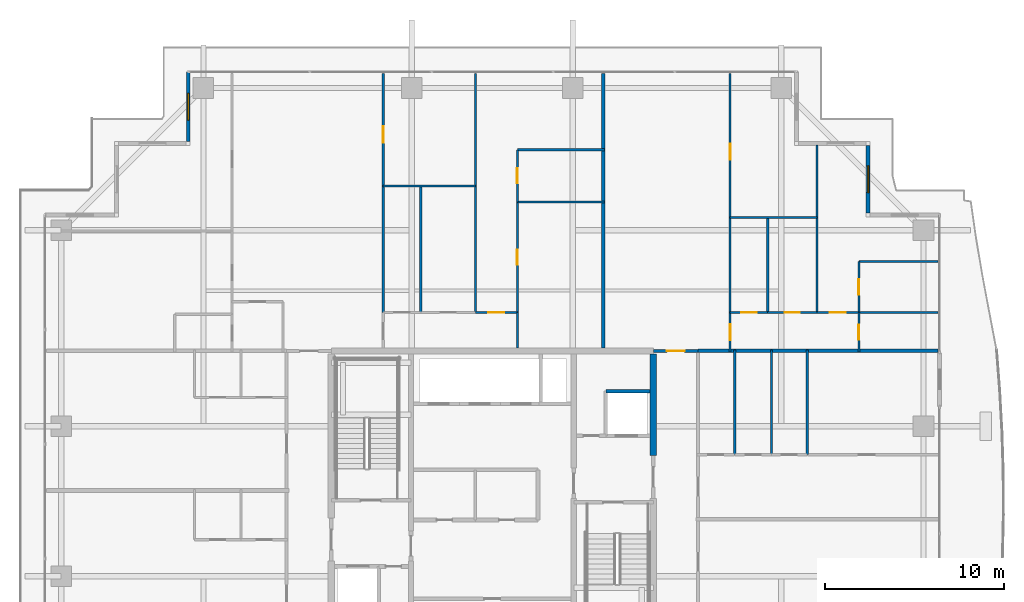
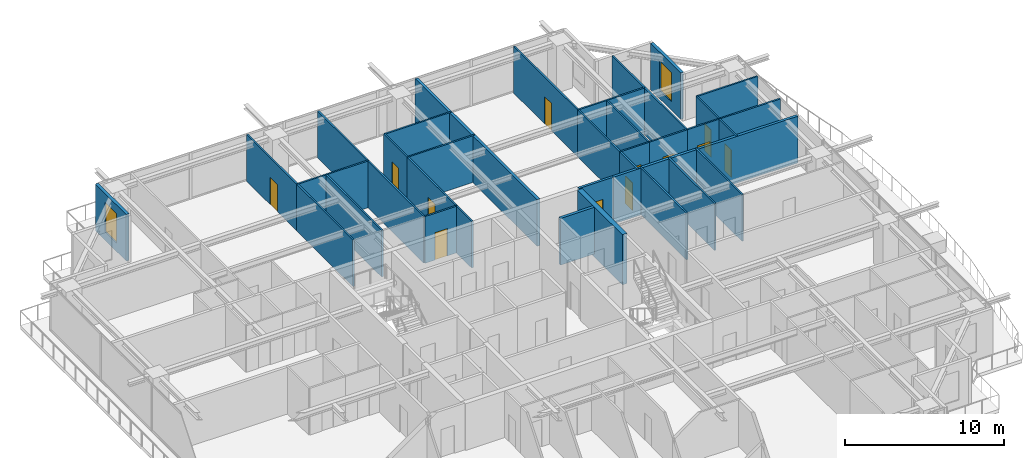
# One storey, part 30 of 38: 34 walls, 12 doors, 2 windows, 14 openings.
"""IFC4 building model written with IfcOpenShell, lengths in metres."""

from ifc_helpers import new_model, si_unit, direction, frame, frame_2d, origin, place, context, subcontext, project, spatial, rectangle, extrude, source, transform, mapped, material, layer, layer_set, type_object, element, fill, save


model = new_model("IFC4")

# Units and contexts
model_context = context("Model", 3, precision=1e-05, world=origin(), true_north=direction((0.0, 1.0)))
body_context = subcontext(model_context, "Body", "Model", "MODEL_VIEW")
ifc_project = project(units=[si_unit("LENGTHUNIT", "METRE"), si_unit("AREAUNIT", "SQUARE_METRE"), si_unit("VOLUMEUNIT", "CUBIC_METRE"), si_unit("PLANEANGLEUNIT", "RADIAN"), si_unit("MASSUNIT", "GRAM", prefix="KILO")], contexts=[model_context])

# Site, building, storey
site_placement = place(None, origin())
site = spatial("IfcSite", under=ifc_project, at=site_placement, CompositionType="ELEMENT")
building_placement = place(site_placement, origin())
building = spatial("IfcBuilding", under=site, at=building_placement, Name="Serunith Strait Residences", CompositionType="ELEMENT")
storey_placement = place(building_placement, frame((0.0, 0.0, 245.10009765625)))
storey = spatial("IfcBuildingStorey", under=building, at=storey_placement, Name="L61", CompositionType="ELEMENT", Elevation=245.10009765625)

# Wall, opening, window
ifc_material_1 = material(Name="Pale-Champagne Aluminium Insulated Panel", Category="aluminium")
ifc_layer_1 = layer(ifc_material_1, 0.219970703125, Name="Pale-Champagne Aluminium Insulated Panel")
ifc_layer_set_1 = layer_set([ifc_layer_1], Name="Pale-Champagne Aluminium Insulated Panel")
wall_type_1 = type_object("IfcWallType", Name="EW-ALUM-220", PredefinedType="ELEMENTEDWALL", material=ifc_layer_set_1)
wall_1_placement = place(storey_placement, frame((53.39990234375, 41.31005859375, 0.0), z_axis=(0.0, 0.0, 1.0), x_axis=(0.0, 1.0, 0.0)))
wall_1 = element("IfcWall", 1, at=wall_1_placement, inside=storey, type_object=wall_type_1, Name="L61 Girih Serrated Corner Wall 08", PredefinedType="ELEMENTEDWALL", context=body_context, shape_type="SweptSolid", body=[
    extrude(rectangle(XDim=3.780029296875, YDim=0.219970703125, at=frame_2d((1.89013671875, 0.0))), origin(), (0.0, 0.0, 1.0), 3.574951171875),
])
opening_1_placement = place(wall_1_placement, frame((1.139892578125, 0.0, 0.64990234375)))
opening_1 = element("IfcOpeningElement", 2, at=opening_1_placement, cuts=wall_1, Name="Opening W-05", PredefinedType="OPENING", context=body_context, shape_type="SweptSolid", body=[
    extrude(rectangle(XDim=1.5, YDim=2.25, at=frame_2d((0.75, 1.125))), frame((0.0, 0.1201171875, 0.0), z_axis=(0.0, -1.0, 0.0), x_axis=(1.0, 0.0, 0.0)), (0.0, 0.0, 1.0), 0.239990234375),
])
ifc_material_2 = material(Name="Ceramic-Fritted Operable Aluminium Window Glass", Category="aluminium")
window_type = type_object("IfcWindowType", Name="WIN-C5", PartitioningType="DOUBLE_PANEL_VERTICAL", PredefinedType="WINDOW", material=ifc_material_2)
shared_shape_1 = source(origin(), body_context, "Body", "SweptSolid", [
    extrude(rectangle(XDim=1.5, YDim=2.25, at=frame_2d((0.75, 1.125))), frame((0.0, 0.030029296875, 0.0), z_axis=(0.0, -1.0, 0.0), x_axis=(1.0, 0.0, 0.0)), (0.0, 0.0, 1.0), 0.06005859375),
])
window_1_placement = place(opening_1_placement, origin())
window_1 = element("IfcWindow", 3, at=window_1_placement, inside=storey, type_object=window_type, Name="L61 Corner Operable Fritted Window 08", OverallHeight=2.25, OverallWidth=1.5, PartitioningType="SINGLE_PANEL", PredefinedType="WINDOW", context=body_context, shape_type="MappedRepresentation", body=[
    mapped(shared_shape_1, transform((0.0, 0.0, 0.0), scale=1.0)),
])
fill(opening_1, window_1)

wall_2_placement = place(storey_placement, frame((15.39990234375, 49.199951171875, 0.0), z_axis=(0.0, 0.0, 1.0), x_axis=(0.0, -1.0, 0.0)))
wall_2 = element("IfcWall", 4, at=wall_2_placement, inside=storey, type_object=wall_type_1, Name="L61 Girih Serrated Corner Wall 12", PredefinedType="ELEMENTEDWALL", context=body_context, shape_type="SweptSolid", body=[
    extrude(rectangle(XDim=3.889892578125, YDim=0.219970703125, at=frame_2d((1.94482421875, 0.0))), origin(), (0.0, 0.0, 1.0), 3.574951171875),
])
opening_2_placement = place(wall_2_placement, frame((1.195068359375, 0.0, 0.64990234375)))
opening_2 = element("IfcOpeningElement", 5, at=opening_2_placement, cuts=wall_2, Name="Opening W-05", PredefinedType="OPENING", context=body_context, shape_type="SweptSolid", body=[
    extrude(rectangle(XDim=1.5, YDim=2.25, at=frame_2d((0.75, 1.125))), frame((0.0, 0.1201171875, 0.0), z_axis=(0.0, -1.0, 0.0), x_axis=(1.0, 0.0, 0.0)), (0.0, 0.0, 1.0), 0.239990234375),
])
window_2_placement = place(opening_2_placement, origin())
window_2 = element("IfcWindow", 6, at=window_2_placement, inside=storey, type_object=window_type, Name="L61 Corner Operable Fritted Window 12", OverallHeight=2.25, OverallWidth=1.5, PartitioningType="SINGLE_PANEL", PredefinedType="WINDOW", context=body_context, shape_type="MappedRepresentation", body=[
    mapped(shared_shape_1, transform((0.0, 0.0, 0.0), scale=1.0)),
])
fill(opening_2, window_2)

# Wall, opening, door
ifc_material_3 = material(Name="Fire-rated acoustic gypsum partition")
ifc_layer_2 = layer(ifc_material_3, 0.179931640625, Name="Fire-rated acoustic gypsum partition")
ifc_layer_set_2 = layer_set([ifc_layer_2], Name="Fire-rated acoustic gypsum partition")
wall_type_2 = type_object("IfcWallType", Name="IW-CORR-180", PredefinedType="PARTITIONING", material=ifc_layer_set_2)
wall_3_placement = place(storey_placement, frame((41.402099609375, 33.60009765625, 0.0), z_axis=(0.0, 0.0, 1.0), x_axis=(1.0, 0.0, 0.0)))
wall_3 = element("IfcWall", 7, at=wall_3_placement, inside=storey, type_object=wall_type_2, Name="L61 Partition Wall 030", PredefinedType="PARTITIONING", context=body_context, shape_type="SweptSolid", body=[
    extrude(rectangle(XDim=2.495849609375, YDim=0.179931640625, at=frame_2d((1.248046875, 0.0))), origin(), (0.0, 0.0, 1.0), 3.58984375),
])
opening_3_placement = place(wall_3_placement, frame((0.748046875, 0.0, 0.0)))
opening_3 = element("IfcOpeningElement", 8, at=opening_3_placement, cuts=wall_3, Name="Opening D-APT1000", PredefinedType="OPENING", context=body_context, shape_type="SweptSolid", body=[
    extrude(rectangle(XDim=1.0, YDim=2.14990234375, at=frame_2d((0.5, 1.074951171875))), frame((0.0, 0.10009765625, 0.0), z_axis=(0.0, -1.0, 0.0), x_axis=(1.0, 0.0, 0.0)), (0.0, 0.0, 1.0), 0.199951171875),
])
ifc_material_4 = material(Name="Solid timber engineered fire door", Category="wood")
door_type_1 = type_object("IfcDoorType", Name="ID-APT-1000", OperationType="NOTDEFINED", PredefinedType="DOOR", material=ifc_material_4)
shared_shape_2 = source(origin(), body_context, "Body", "SweptSolid", [
    extrude(rectangle(XDim=1.0, YDim=2.14990234375, at=frame_2d((0.5, 1.074951171875))), frame((0.0, 0.02490234375, 0.0), z_axis=(0.0, -1.0, 0.0), x_axis=(1.0, 0.0, 0.0)), (0.0, 0.0, 1.0), 0.050048828125),
])
door_1_placement = place(opening_3_placement, origin())
door_1 = element("IfcDoor", 9, at=door_1_placement, inside=storey, type_object=door_type_1, Name="L61 Unit 04 Entrance Door", OperationType="SINGLE_SWING_RIGHT", OverallHeight=2.14990234375, OverallWidth=1.0, PredefinedType="DOOR", context=body_context, shape_type="MappedRepresentation", body=[
    mapped(shared_shape_2, transform((0.0, 0.0, 0.0), scale=1.0)),
])
fill(opening_3, door_1)

ifc_material_5 = material(Name="Lightweight steel-stud gypsum partition", Category="steel")
ifc_layer_3 = layer(ifc_material_5, 0.1201171875, Name="Lightweight steel-stud gypsum partition")
ifc_layer_set_3 = layer_set([ifc_layer_3], Name="Lightweight steel-stud gypsum partition")
wall_type_3 = type_object("IfcWallType", Name="IW-PART-120", PredefinedType="PARTITIONING", material=ifc_layer_set_3)
wall_4_placement = place(storey_placement, frame((26.300048828125, 49.10498046875, 0.0), z_axis=(0.0, 0.0, 1.0), x_axis=(0.0, -1.0, 0.0)))
wall_4 = element("IfcWall", 10, at=wall_4_placement, inside=storey, type_object=wall_type_3, Name="L61 Partition Wall 076", PredefinedType="PARTITIONING", context=body_context, shape_type="SweptSolid", body=[
    extrude(rectangle(XDim=6.27490234375, YDim=0.1201171875, at=frame_2d((3.137451171875, 0.0))), origin(), (0.0, 0.0, 1.0), 3.58984375),
])
opening_4_placement = place(wall_4_placement, frame((2.9560546875, 0.0, 0.0)))
opening_4 = element("IfcOpeningElement", 11, at=opening_4_placement, cuts=wall_4, Name="Opening D-RM900", PredefinedType="OPENING", context=body_context, shape_type="SweptSolid", body=[
    extrude(rectangle(XDim=0.89990234375, YDim=2.10009765625, at=frame_2d((0.449951171875, 1.050048828125))), frame((0.0, 0.070068359375, 0.0), z_axis=(0.0, -1.0, 0.0), x_axis=(1.0, 0.0, 0.0)), (0.0, 0.0, 1.0), 0.14013671875),
])
ifc_material_6 = material(Name="Engineered timber flush bedroom door", Category="wood")
door_type_2 = type_object("IfcDoorType", Name="ID-ROOM-900", OperationType="NOTDEFINED", PredefinedType="DOOR", material=ifc_material_6)
shared_shape_3 = source(origin(), body_context, "Body", "SweptSolid", [
    extrude(rectangle(XDim=0.89990234375, YDim=2.10009765625, at=frame_2d((0.449951171875, 1.050048828125))), frame((0.0, 0.02490234375, 0.0), z_axis=(0.0, -1.0, 0.0), x_axis=(1.0, 0.0, 0.0)), (0.0, 0.0, 1.0), 0.050048828125),
])
door_2_placement = place(opening_4_placement, origin())
door_2 = element("IfcDoor", 12, at=door_2_placement, inside=storey, type_object=door_type_2, Name="L61 Formal Dining Room 2 6103 Door", OperationType="SINGLE_SWING_RIGHT", OverallHeight=2.10009765625, OverallWidth=0.89990234375, PredefinedType="DOOR", context=body_context, shape_type="MappedRepresentation", body=[
    mapped(shared_shape_3, transform((0.0, 0.0, 0.0), scale=1.0)),
])
fill(opening_4, door_2)

# Walls
wall_5_placement = place(storey_placement, frame((26.300048828125, 42.827880859375, 0.0), z_axis=(0.0, 0.0, 1.0), x_axis=(0.0, -1.0, 0.0)))
element("IfcWall", 13, at=wall_5_placement, inside=storey, type_object=wall_type_3, Name="L61 Partition Wall 077", PredefinedType="PARTITIONING", context=body_context, shape_type="SweptSolid", body=[
    extrude(rectangle(XDim=7.075927734375, YDim=0.1201171875, at=frame_2d((3.5380859375, 0.0))), origin(), (0.0, 0.0, 1.0), 3.58984375),
])
wall_6_placement = place(storey_placement, frame((26.300048828125, 42.830078125, 0.0), z_axis=(0.0, 0.0, 1.0), x_axis=(1.0, 0.0, 0.0)))
element("IfcWall", 14, at=wall_6_placement, inside=storey, type_object=wall_type_3, Name="L61 Partition Wall 078", PredefinedType="PARTITIONING", context=body_context, shape_type="SweptSolid", body=[
    extrude(rectangle(XDim=5.14990234375, YDim=0.1201171875, at=frame_2d((2.574951171875, 0.0))), origin(), (0.0, 0.0, 1.0), 3.58984375),
])
wall_7_placement = place(storey_placement, frame((31.449951171875, 49.10498046875, 0.0), z_axis=(0.0, 0.0, 1.0), x_axis=(0.0, -1.0, 0.0)))
element("IfcWall", 15, at=wall_7_placement, inside=storey, type_object=wall_type_3, Name="L61 Partition Wall 079", PredefinedType="PARTITIONING", context=body_context, shape_type="SweptSolid", body=[
    extrude(rectangle(XDim=13.35498046875, YDim=0.1201171875, at=frame_2d((6.677490234375, 0.0))), origin(), (0.0, 0.0, 1.0), 3.58984375),
])
wall_8_placement = place(storey_placement, frame((28.39990234375, 42.830078125, 0.0), z_axis=(0.0, 0.0, 1.0), x_axis=(0.0, -1.0, 0.0)))
element("IfcWall", 16, at=wall_8_placement, inside=storey, type_object=wall_type_3, Name="L61 Partition Wall 080", PredefinedType="PARTITIONING", context=body_context, shape_type="SweptSolid", body=[
    extrude(rectangle(XDim=7.080078125, YDim=0.1201171875, at=frame_2d((3.5400390625, 0.0))), origin(), (0.0, 0.0, 1.0), 3.58984375),
])

# Wall, opening, door
wall_9_placement = place(storey_placement, frame((31.451904296875, 35.75, 0.0), z_axis=(0.0, 0.0, 1.0), x_axis=(1.0, 0.0, 0.0)))
wall_9 = element("IfcWall", 17, at=wall_9_placement, inside=storey, type_object=wall_type_3, Name="L61 Partition Wall 083", PredefinedType="PARTITIONING", context=body_context, shape_type="SweptSolid", body=[
    extrude(rectangle(XDim=2.34814453125, YDim=0.1201171875, at=frame_2d((1.174072265625, 0.0))), origin(), (0.0, 0.0, 1.0), 3.58984375),
])
opening_5_placement = place(wall_9_placement, frame((0.72412109375, 0.0, 0.0)))
opening_5 = element("IfcOpeningElement", 18, at=opening_5_placement, cuts=wall_9, Name="Opening D-RM900", PredefinedType="OPENING", context=body_context, shape_type="SweptSolid", body=[
    extrude(rectangle(XDim=0.89990234375, YDim=2.10009765625, at=frame_2d((0.449951171875, 1.050048828125))), frame((0.0, 0.070068359375, 0.0), z_axis=(0.0, -1.0, 0.0), x_axis=(1.0, 0.0, 0.0)), (0.0, 0.0, 1.0), 0.14013671875),
])
door_3_placement = place(opening_5_placement, origin())
door_3 = element("IfcDoor", 19, at=door_3_placement, inside=storey, type_object=door_type_2, Name="L61 Master Bedroom E 6103 Door", OperationType="SINGLE_SWING_LEFT", OverallHeight=2.10009765625, OverallWidth=0.89990234375, PredefinedType="DOOR", context=body_context, shape_type="MappedRepresentation", body=[
    mapped(shared_shape_3, transform((0.0, 0.0, 0.0), scale=1.0)),
])
fill(opening_5, door_3)

# Walls
for number, where, z_axis, x_axis, name in (
    (20, (33.800048828125, 44.846923828125, 0.0), (0.0, 0.0, 1.0), (1.0, 0.0, 0.0), "L61 Partition Wall 084"),
    (21, (33.800048828125, 41.929931640625, 0.0), (0.0, 0.0, 1.0), (1.0, 0.0, 0.0), "L61 Partition Wall 085"),
):
    element("IfcWall", number, at=place(storey_placement, frame(where, z_axis=z_axis, x_axis=x_axis)), inside=storey, type_object=wall_type_3, Name=name, PredefinedType="PARTITIONING", context=body_context, shape_type="SweptSolid", body=[
        extrude(rectangle(XDim=4.85986328125, YDim=0.1201171875, at=frame_2d((2.429931640625, 0.0))), origin(), (0.0, 0.0, 1.0), 3.58984375),
    ])

# Wall, opening, door
wall_10_placement = place(storey_placement, frame((33.800048828125, 44.846923828125, 0.0), z_axis=(0.0, 0.0, 1.0), x_axis=(0.0, -1.0, 0.0)))
wall_10 = element("IfcWall", 22, at=wall_10_placement, inside=storey, type_object=wall_type_3, Name="L61 Partition Wall 086", PredefinedType="PARTITIONING", context=body_context, shape_type="SweptSolid", body=[
    extrude(rectangle(XDim=2.9169921875, YDim=0.1201171875, at=frame_2d((1.45849609375, 0.0))), origin(), (0.0, 0.0, 1.0), 3.58984375),
])
opening_6_placement = place(wall_10_placement, frame((1.033935546875, 0.0, 0.0)))
opening_6 = element("IfcOpeningElement", 23, at=opening_6_placement, cuts=wall_10, Name="Opening D-BTH850", PredefinedType="OPENING", context=body_context, shape_type="SweptSolid", body=[
    extrude(rectangle(XDim=0.85009765625, YDim=2.10009765625, at=frame_2d((0.425048828125, 1.050048828125))), frame((0.0, 0.070068359375, 0.0), z_axis=(0.0, -1.0, 0.0), x_axis=(1.0, 0.0, 0.0)), (0.0, 0.0, 1.0), 0.14013671875),
])
ifc_material_7 = material(Name="Moisture-resistant timber bathroom door", Category="wood")
door_type_3 = type_object("IfcDoorType", Name="ID-BATH-850", OperationType="NOTDEFINED", PredefinedType="DOOR", material=ifc_material_7)
shared_shape_4 = source(origin(), body_context, "Body", "SweptSolid", [
    extrude(rectangle(XDim=0.85009765625, YDim=2.10009765625, at=frame_2d((0.425048828125, 1.050048828125))), frame((0.0, 0.02490234375, 0.0), z_axis=(0.0, -1.0, 0.0), x_axis=(1.0, 0.0, 0.0)), (0.0, 0.0, 1.0), 0.050048828125),
])
door_4_placement = place(opening_6_placement, origin())
door_4 = element("IfcDoor", 24, at=door_4_placement, inside=storey, type_object=door_type_3, Name="L61 En-suite Bathroom E 6103 Door", OperationType="SINGLE_SWING_RIGHT", OverallHeight=2.10009765625, OverallWidth=0.85009765625, PredefinedType="DOOR", context=body_context, shape_type="MappedRepresentation", body=[
    mapped(shared_shape_4, transform((0.0, 0.0, 0.0), scale=1.0)),
])
fill(opening_6, door_4)

wall_11_placement = place(storey_placement, frame((33.800048828125, 41.927978515625, 0.0), z_axis=(0.0, 0.0, 1.0), x_axis=(0.0, -1.0, 0.0)))
wall_11 = element("IfcWall", 25, at=wall_11_placement, inside=storey, type_object=wall_type_3, Name="L61 Partition Wall 087", PredefinedType="PARTITIONING", context=body_context, shape_type="SweptSolid", body=[
    extrude(rectangle(XDim=6.177978515625, YDim=0.1201171875, at=frame_2d((3.0888671875, 0.0))), origin(), (0.0, 0.0, 1.0), 3.58984375),
])
opening_7_placement = place(wall_11_placement, frame((2.6640625, 0.0, 0.0)))
opening_7 = element("IfcOpeningElement", 26, at=opening_7_placement, cuts=wall_11, Name="Opening D-RM850", PredefinedType="OPENING", context=body_context, shape_type="SweptSolid", body=[
    extrude(rectangle(XDim=0.85009765625, YDim=2.10009765625, at=frame_2d((0.425048828125, 1.050048828125))), frame((0.0, 0.070068359375, 0.0), z_axis=(0.0, -1.0, 0.0), x_axis=(1.0, 0.0, 0.0)), (0.0, 0.0, 1.0), 0.14013671875),
])
ifc_material_8 = material(Name="Engineered timber flush study and kitchen door", Category="wood")
door_type_4 = type_object("IfcDoorType", Name="ID-ROOM-850", OperationType="NOTDEFINED", PredefinedType="DOOR", material=ifc_material_8)
door_5_placement = place(opening_7_placement, origin())
door_5 = element("IfcDoor", 27, at=door_5_placement, inside=storey, type_object=door_type_4, Name="L61 Wardrobe E 6103 Door", OperationType="SINGLE_SWING_LEFT", OverallHeight=2.10009765625, OverallWidth=0.85009765625, PredefinedType="DOOR", context=body_context, shape_type="MappedRepresentation", body=[
    mapped(shared_shape_4, transform((0.0, 0.0, 0.0), scale=1.0)),
])
fill(opening_7, door_5)

# Wall
wall_12_placement = place(storey_placement, frame((33.800048828125, 35.748046875, 0.0), z_axis=(0.0, 0.0, 1.0), x_axis=(0.0, -1.0, 0.0)))
element("IfcWall", 28, at=wall_12_placement, inside=storey, type_object=wall_type_3, Name="L61 Partition Wall 088", PredefinedType="PARTITIONING", context=body_context, shape_type="SweptSolid", body=[
    extrude(rectangle(XDim=1.97314453125, YDim=0.1201171875, at=frame_2d((0.986572265625, 0.0))), origin(), (0.0, 0.0, 1.0), 3.58984375),
])

# Wall, opening, door
wall_13_placement = place(storey_placement, frame((45.68994140625, 35.75, 0.0), z_axis=(0.0, 0.0, 1.0), x_axis=(0.0, -1.0, 0.0)))
wall_13 = element("IfcWall", 29, at=wall_13_placement, inside=storey, type_object=wall_type_3, Name="L61 Partition Wall 089", PredefinedType="PARTITIONING", context=body_context, shape_type="SweptSolid", body=[
    extrude(rectangle(XDim=2.2099609375, YDim=0.1201171875, at=frame_2d((1.10498046875, 0.0))), origin(), (0.0, 0.0, 1.0), 3.58984375),
])
opening_8_placement = place(wall_13_placement, frame((0.655029296875, 0.0, 0.0)))
opening_8 = element("IfcOpeningElement", 30, at=opening_8_placement, cuts=wall_13, Name="Opening D-RM900", PredefinedType="OPENING", context=body_context, shape_type="SweptSolid", body=[
    extrude(rectangle(XDim=0.89990234375, YDim=2.10009765625, at=frame_2d((0.449951171875, 1.050048828125))), frame((0.0, 0.070068359375, 0.0), z_axis=(0.0, -1.0, 0.0), x_axis=(1.0, 0.0, 0.0)), (0.0, 0.0, 1.0), 0.14013671875),
])
door_6_placement = place(opening_8_placement, origin())
door_6 = element("IfcDoor", 31, at=door_6_placement, inside=storey, type_object=door_type_2, Name="L61 Hall E 6104 Door", OperationType="SINGLE_SWING_RIGHT", OverallHeight=2.10009765625, OverallWidth=0.89990234375, PredefinedType="DOOR", context=body_context, shape_type="MappedRepresentation", body=[
    mapped(shared_shape_3, transform((0.0, 0.0, 0.0), scale=1.0)),
])
fill(opening_8, door_6)

wall_14_placement = place(storey_placement, frame((45.68994140625, 49.10498046875, 0.0), z_axis=(0.0, 0.0, 1.0), x_axis=(0.0, -1.0, 0.0)))
wall_14 = element("IfcWall", 32, at=wall_14_placement, inside=storey, type_object=wall_type_3, Name="L61 Partition Wall 090", PredefinedType="PARTITIONING", context=body_context, shape_type="SweptSolid", body=[
    extrude(rectangle(XDim=8.0400390625, YDim=0.1201171875, at=frame_2d((4.02001953125, 0.0))), origin(), (0.0, 0.0, 1.0), 3.58984375),
])
opening_9_placement = place(wall_14_placement, frame((3.927001953125, 0.0, 0.0)))
opening_9 = element("IfcOpeningElement", 33, at=opening_9_placement, cuts=wall_14, Name="Opening D-RM900", PredefinedType="OPENING", context=body_context, shape_type="SweptSolid", body=[
    extrude(rectangle(XDim=0.89990234375, YDim=2.10009765625, at=frame_2d((0.449951171875, 1.050048828125))), frame((0.0, 0.070068359375, 0.0), z_axis=(0.0, -1.0, 0.0), x_axis=(1.0, 0.0, 0.0)), (0.0, 0.0, 1.0), 0.14013671875),
])
door_7_placement = place(opening_9_placement, origin())
door_7 = element("IfcDoor", 34, at=door_7_placement, inside=storey, type_object=door_type_2, Name="L61 Formal Dining Room 1 6104 Door", OperationType="SINGLE_SWING_LEFT", OverallHeight=2.10009765625, OverallWidth=0.89990234375, PredefinedType="DOOR", context=body_context, shape_type="MappedRepresentation", body=[
    mapped(shared_shape_3, transform((0.0, 0.0, 0.0), scale=1.0)),
])
fill(opening_9, door_7)

# Walls
wall_15_placement = place(storey_placement, frame((45.68994140625, 41.06298828125, 0.0), z_axis=(0.0, 0.0, 1.0), x_axis=(0.0, -1.0, 0.0)))
element("IfcWall", 35, at=wall_15_placement, inside=storey, type_object=wall_type_3, Name="L61 Partition Wall 091", PredefinedType="PARTITIONING", context=body_context, shape_type="SweptSolid", body=[
    extrude(rectangle(XDim=5.31103515625, YDim=0.1201171875, at=frame_2d((2.655517578125, 0.0))), origin(), (0.0, 0.0, 1.0), 3.58984375),
])
wall_16_placement = place(storey_placement, frame((45.68994140625, 41.06494140625, 0.0), z_axis=(0.0, 0.0, 1.0), x_axis=(1.0, 0.0, 0.0)))
element("IfcWall", 36, at=wall_16_placement, inside=storey, type_object=wall_type_3, Name="L61 Partition Wall 092", PredefinedType="PARTITIONING", context=body_context, shape_type="SweptSolid", body=[
    extrude(rectangle(XDim=4.85009765625, YDim=0.1201171875, at=frame_2d((2.425048828125, 0.0))), origin(), (0.0, 0.0, 1.0), 3.58984375),
])
wall_17_placement = place(storey_placement, frame((50.5400390625, 45.10498046875, 0.0), z_axis=(0.0, 0.0, 1.0), x_axis=(0.0, -1.0, 0.0)))
element("IfcWall", 37, at=wall_17_placement, inside=storey, type_object=wall_type_3, Name="L61 Partition Wall 093", PredefinedType="PARTITIONING", context=body_context, shape_type="SweptSolid", body=[
    extrude(rectangle(XDim=9.35498046875, YDim=0.1201171875, at=frame_2d((4.677490234375, 0.0))), origin(), (0.0, 0.0, 1.0), 3.58984375),
])
wall_18_placement = place(storey_placement, frame((47.7900390625, 41.06494140625, 0.0), z_axis=(0.0, 0.0, 1.0), x_axis=(0.0, -1.0, 0.0)))
element("IfcWall", 38, at=wall_18_placement, inside=storey, type_object=wall_type_3, Name="L61 Partition Wall 094", PredefinedType="PARTITIONING", context=body_context, shape_type="SweptSolid", body=[
    extrude(rectangle(XDim=5.31494140625, YDim=0.1201171875, at=frame_2d((2.657470703125, 0.0))), origin(), (0.0, 0.0, 1.0), 3.58984375),
])

# Wall, opening, door
wall_19_placement = place(storey_placement, frame((45.68994140625, 35.75, 0.0), z_axis=(0.0, 0.0, 1.0), x_axis=(1.0, 0.0, 0.0)))
wall_19 = element("IfcWall", 39, at=wall_19_placement, inside=storey, type_object=wall_type_3, Name="L61 Partition Wall 095", PredefinedType="PARTITIONING", context=body_context, shape_type="SweptSolid", body=[
    extrude(rectangle(XDim=2.10009765625, YDim=0.1201171875, at=frame_2d((1.050048828125, 0.0))), origin(), (0.0, 0.0, 1.0), 3.58984375),
])
opening_10_placement = place(wall_19_placement, frame((0.625, 0.0, 0.0)))
opening_10 = element("IfcOpeningElement", 40, at=opening_10_placement, cuts=wall_19, Name="Opening D-BTH850", PredefinedType="OPENING", context=body_context, shape_type="SweptSolid", body=[
    extrude(rectangle(XDim=0.85009765625, YDim=2.10009765625, at=frame_2d((0.425048828125, 1.050048828125))), frame((0.0, 0.070068359375, 0.0), z_axis=(0.0, -1.0, 0.0), x_axis=(1.0, 0.0, 0.0)), (0.0, 0.0, 1.0), 0.14013671875),
])
door_8_placement = place(opening_10_placement, origin())
door_8 = element("IfcDoor", 41, at=door_8_placement, inside=storey, type_object=door_type_3, Name="L61 Bathroom 6104 Door", OperationType="SINGLE_SWING_RIGHT", OverallHeight=2.10009765625, OverallWidth=0.85009765625, PredefinedType="DOOR", context=body_context, shape_type="MappedRepresentation", body=[
    mapped(shared_shape_4, transform((0.0, 0.0, 0.0), scale=1.0)),
])
fill(opening_10, door_8)

wall_20_placement = place(storey_placement, frame((47.7919921875, 35.75, 0.0), z_axis=(0.0, 0.0, 1.0), x_axis=(1.0, 0.0, 0.0)))
wall_20 = element("IfcWall", 42, at=wall_20_placement, inside=storey, type_object=wall_type_3, Name="L61 Partition Wall 096", PredefinedType="PARTITIONING", context=body_context, shape_type="SweptSolid", body=[
    extrude(rectangle(XDim=2.748046875, YDim=0.1201171875, at=frame_2d((1.3740234375, 0.0))), origin(), (0.0, 0.0, 1.0), 3.58984375),
])
opening_11_placement = place(wall_20_placement, frame((0.948974609375, 0.0, 0.0)))
opening_11 = element("IfcOpeningElement", 43, at=opening_11_placement, cuts=wall_20, Name="Opening D-RM850", PredefinedType="OPENING", context=body_context, shape_type="SweptSolid", body=[
    extrude(rectangle(XDim=0.85009765625, YDim=2.10009765625, at=frame_2d((0.425048828125, 1.050048828125))), frame((0.0, 0.070068359375, 0.0), z_axis=(0.0, -1.0, 0.0), x_axis=(1.0, 0.0, 0.0)), (0.0, 0.0, 1.0), 0.14013671875),
])
door_9_placement = place(opening_11_placement, origin())
door_9 = element("IfcDoor", 44, at=door_9_placement, inside=storey, type_object=door_type_4, Name="L61 Kitchen 6104 Door", OperationType="SINGLE_SWING_LEFT", OverallHeight=2.10009765625, OverallWidth=0.85009765625, PredefinedType="DOOR", context=body_context, shape_type="MappedRepresentation", body=[
    mapped(shared_shape_4, transform((0.0, 0.0, 0.0), scale=1.0)),
])
fill(opening_11, door_9)

wall_21_placement = place(storey_placement, frame((50.5419921875, 35.75, 0.0), z_axis=(0.0, 0.0, 1.0), x_axis=(1.0, 0.0, 0.0)))
wall_21 = element("IfcWall", 45, at=wall_21_placement, inside=storey, type_object=wall_type_3, Name="L61 Partition Wall 097", PredefinedType="PARTITIONING", context=body_context, shape_type="SweptSolid", body=[
    extrude(rectangle(XDim=2.347900390625, YDim=0.1201171875, at=frame_2d((1.173828125, 0.0))), origin(), (0.0, 0.0, 1.0), 3.58984375),
])
opening_12_placement = place(wall_21_placement, frame((0.72412109375, 0.0, 0.0)))
opening_12 = element("IfcOpeningElement", 46, at=opening_12_placement, cuts=wall_21, Name="Opening D-RM900", PredefinedType="OPENING", context=body_context, shape_type="SweptSolid", body=[
    extrude(rectangle(XDim=0.89990234375, YDim=2.10009765625, at=frame_2d((0.449951171875, 1.050048828125))), frame((0.0, 0.070068359375, 0.0), z_axis=(0.0, -1.0, 0.0), x_axis=(1.0, 0.0, 0.0)), (0.0, 0.0, 1.0), 0.14013671875),
])
door_10_placement = place(opening_12_placement, origin())
door_10 = element("IfcDoor", 47, at=door_10_placement, inside=storey, type_object=door_type_2, Name="L61 Master Bedroom E 6104 Door", OperationType="SINGLE_SWING_RIGHT", OverallHeight=2.10009765625, OverallWidth=0.89990234375, PredefinedType="DOOR", context=body_context, shape_type="MappedRepresentation", body=[
    mapped(shared_shape_3, transform((0.0, 0.0, 0.0), scale=1.0)),
])
fill(opening_12, door_10)

# Walls
wall_22_placement = place(storey_placement, frame((52.889892578125, 38.60693359375, 0.0), z_axis=(0.0, 0.0, 1.0), x_axis=(1.0, 0.0, 0.0)))
element("IfcWall", 48, at=wall_22_placement, inside=storey, type_object=wall_type_3, Name="L61 Partition Wall 098", PredefinedType="PARTITIONING", context=body_context, shape_type="SweptSolid", body=[
    extrude(rectangle(XDim=4.4150390625, YDim=0.1201171875, at=frame_2d((2.20751953125, 0.0))), origin(), (0.0, 0.0, 1.0), 3.58984375),
])
wall_23_placement = place(storey_placement, frame((52.89208984375, 35.75, 0.0), z_axis=(0.0, 0.0, 1.0), x_axis=(1.0, 0.0, 0.0)))
element("IfcWall", 49, at=wall_23_placement, inside=storey, type_object=wall_type_3, Name="L61 Partition Wall 099", PredefinedType="PARTITIONING", context=body_context, shape_type="SweptSolid", body=[
    extrude(rectangle(XDim=4.412841796875, YDim=0.1201171875, at=frame_2d((2.20654296875, 0.0))), origin(), (0.0, 0.0, 1.0), 3.58984375),
])

# Wall, opening, door
wall_24_placement = place(storey_placement, frame((52.889892578125, 38.60693359375, 0.0), z_axis=(0.0, 0.0, 1.0), x_axis=(0.0, -1.0, 0.0)))
wall_24 = element("IfcWall", 50, at=wall_24_placement, inside=storey, type_object=wall_type_3, Name="L61 Partition Wall 100", PredefinedType="PARTITIONING", context=body_context, shape_type="SweptSolid", body=[
    extrude(rectangle(XDim=2.85693359375, YDim=0.1201171875, at=frame_2d((1.428466796875, 0.0))), origin(), (0.0, 0.0, 1.0), 3.58984375),
])
opening_13_placement = place(wall_24_placement, frame((1.0029296875, 0.0, 0.0)))
opening_13 = element("IfcOpeningElement", 51, at=opening_13_placement, cuts=wall_24, Name="Opening D-BTH850", PredefinedType="OPENING", context=body_context, shape_type="SweptSolid", body=[
    extrude(rectangle(XDim=0.85009765625, YDim=2.10009765625, at=frame_2d((0.425048828125, 1.050048828125))), frame((0.0, 0.070068359375, 0.0), z_axis=(0.0, -1.0, 0.0), x_axis=(1.0, 0.0, 0.0)), (0.0, 0.0, 1.0), 0.14013671875),
])
door_11_placement = place(opening_13_placement, origin())
door_11 = element("IfcDoor", 52, at=door_11_placement, inside=storey, type_object=door_type_3, Name="L61 En-suite Bathroom E 6104 Door", OperationType="SINGLE_SWING_LEFT", OverallHeight=2.10009765625, OverallWidth=0.85009765625, PredefinedType="DOOR", context=body_context, shape_type="MappedRepresentation", body=[
    mapped(shared_shape_4, transform((0.0, 0.0, 0.0), scale=1.0)),
])
fill(opening_13, door_11)

wall_25_placement = place(storey_placement, frame((52.889892578125, 35.748046875, 0.0), z_axis=(0.0, 0.0, 1.0), x_axis=(0.0, -1.0, 0.0)))
wall_25 = element("IfcWall", 53, at=wall_25_placement, inside=storey, type_object=wall_type_3, Name="L61 Partition Wall 101", PredefinedType="PARTITIONING", context=body_context, shape_type="SweptSolid", body=[
    extrude(rectangle(XDim=2.2080078125, YDim=0.1201171875, at=frame_2d((1.10400390625, 0.0))), origin(), (0.0, 0.0, 1.0), 3.58984375),
])
opening_14_placement = place(wall_25_placement, frame((0.678955078125, 0.0, 0.0)))
opening_14 = element("IfcOpeningElement", 54, at=opening_14_placement, cuts=wall_25, Name="Opening D-RM850", PredefinedType="OPENING", context=body_context, shape_type="SweptSolid", body=[
    extrude(rectangle(XDim=0.85009765625, YDim=2.10009765625, at=frame_2d((0.425048828125, 1.050048828125))), frame((0.0, 0.070068359375, 0.0), z_axis=(0.0, -1.0, 0.0), x_axis=(1.0, 0.0, 0.0)), (0.0, 0.0, 1.0), 0.14013671875),
])
door_12_placement = place(opening_14_placement, origin())
door_12 = element("IfcDoor", 55, at=door_12_placement, inside=storey, type_object=door_type_4, Name="L61 Wardrobe E 6104 Door", OperationType="SINGLE_SWING_RIGHT", OverallHeight=2.10009765625, OverallWidth=0.85009765625, PredefinedType="DOOR", context=body_context, shape_type="MappedRepresentation", body=[
    mapped(shared_shape_4, transform((0.0, 0.0, 0.0), scale=1.0)),
])
fill(opening_14, door_12)

# Walls
for number, where, z_axis, x_axis, name in (
    (56, (50.0029296875, 27.800048828125, 0.0), (0.0, 0.0, 1.0), (0.0, 1.0, 0.0), "L61 Partition Wall 115"),
    (57, (48.0029296875, 27.800048828125, 0.0), (0.0, 0.0, 1.0), (0.0, 1.0, 0.0), "L61 Partition Wall 116"),
    (58, (45.949951171875, 27.800048828125, 0.0), (0.0, 0.0, 1.0), (0.0, 1.0, 0.0), "L61 Partition Wall 117"),
):
    element("IfcWall", number, at=place(storey_placement, frame(where, z_axis=z_axis, x_axis=x_axis)), inside=storey, type_object=wall_type_3, Name=name, PredefinedType="PARTITIONING", context=body_context, shape_type="SweptSolid", body=[
        extrude(rectangle(XDim=5.85986328125, YDim=0.1201171875, at=frame_2d((2.929931640625, 0.0))), origin(), (0.0, 0.0, 1.0), 3.58984375),
    ])
ifc_material_9 = material(Name="Twin-stud acoustic gypsum board partition")
ifc_layer_4 = layer(ifc_material_9, 0.199951171875, Name="Twin-stud acoustic gypsum board partition")
ifc_layer_set_4 = layer_set([ifc_layer_4], Name="Twin-stud acoustic gypsum board partition")
wall_type_4 = type_object("IfcWallType", Name="IW-PARTY-200", PredefinedType="PARTITIONING", material=ifc_layer_set_4)
wall_26_placement = place(storey_placement, frame((38.60009765625, 33.77490234375, 0.0), z_axis=(0.0, 0.0, 1.0), x_axis=(0.0, 1.0, 0.0)))
element("IfcWall", 59, at=wall_26_placement, inside=storey, type_object=wall_type_4, Name="L61 Partition Wall 019", PredefinedType="PARTITIONING", context=body_context, shape_type="SweptSolid", body=[
    extrude(rectangle(XDim=15.343017578125, YDim=0.199951171875, at=frame_2d((7.67138671875, 0.0))), origin(), (0.0, 0.0, 1.0), 3.58984375),
])
wall_27_placement = place(storey_placement, frame((43.89990234375, 33.60009765625, 0.0), z_axis=(0.0, 0.0, 1.0), x_axis=(1.0, 0.0, 0.0)))
element("IfcWall", 60, at=wall_27_placement, inside=storey, type_object=wall_type_4, Name="L61 Partition Wall 025", PredefinedType="PARTITIONING", context=body_context, shape_type="SweptSolid", body=[
    extrude(rectangle(XDim=13.418212890625, YDim=0.199951171875, at=frame_2d((6.708984375, 0.0))), origin(), (0.0, 0.0, 1.0), 3.58984375),
])
ifc_material_10 = material(Name="Autoclaved aerated concrete blockwork", Category="masonry")
ifc_layer_5 = layer(ifc_material_10, 0.199951171875, Name="Autoclaved aerated concrete blockwork")
ifc_layer_set_5 = layer_set([ifc_layer_5], Name="Autoclaved aerated concrete blockwork")
wall_type_5 = type_object("IfcWallType", Name="IW-SHAFT-200", PredefinedType="STANDARD", material=ifc_layer_set_5)
wall_28_placement = place(storey_placement, frame((38.75, 31.35009765625, 0.0), z_axis=(0.0, 0.0, 1.0), x_axis=(1.0, 0.0, 0.0)))
element("IfcWall", 61, at=wall_28_placement, inside=storey, type_object=wall_type_5, Name="L61 Partition Wall 005", PredefinedType="STANDARD", context=body_context, shape_type="SweptSolid", body=[
    extrude(rectangle(XDim=2.47509765625, YDim=0.199951171875, at=frame_2d((1.237548828125, 0.0))), origin(), (0.0, 0.0, 1.0), 3.58984375),
])
ifc_material_11 = material(Name="Concrete C60/75", Category="concrete")
ifc_layer_6 = layer(ifc_material_11, 0.35009765625, Name="Concrete C60/75")
ifc_layer_set_6 = layer_set([ifc_layer_6], Name="Concrete C60/75")
wall_type_6 = type_object("IfcWallType", Name="SW-350-C60", PredefinedType="SHEAR", material=ifc_layer_set_6)
wall_29_placement = place(storey_placement, frame((41.39990234375, 27.75, -0.260009765625), z_axis=(0.0, 0.0, 1.0), x_axis=(0.0, 1.0, 0.0)))
element("IfcWall", 62, at=wall_29_placement, inside=storey, type_object=wall_type_6, Name="L61 Core East Shear Wall North Pier", PredefinedType="SHEAR", context=body_context, shape_type="SweptSolid", body=[
    extrude(rectangle(XDim=5.675048828125, YDim=0.35009765625, at=frame_2d((2.83740234375, 0.0))), origin(), (0.0, 0.0, 1.0), 3.847900390625),
])

save(model, "model.ifc")
